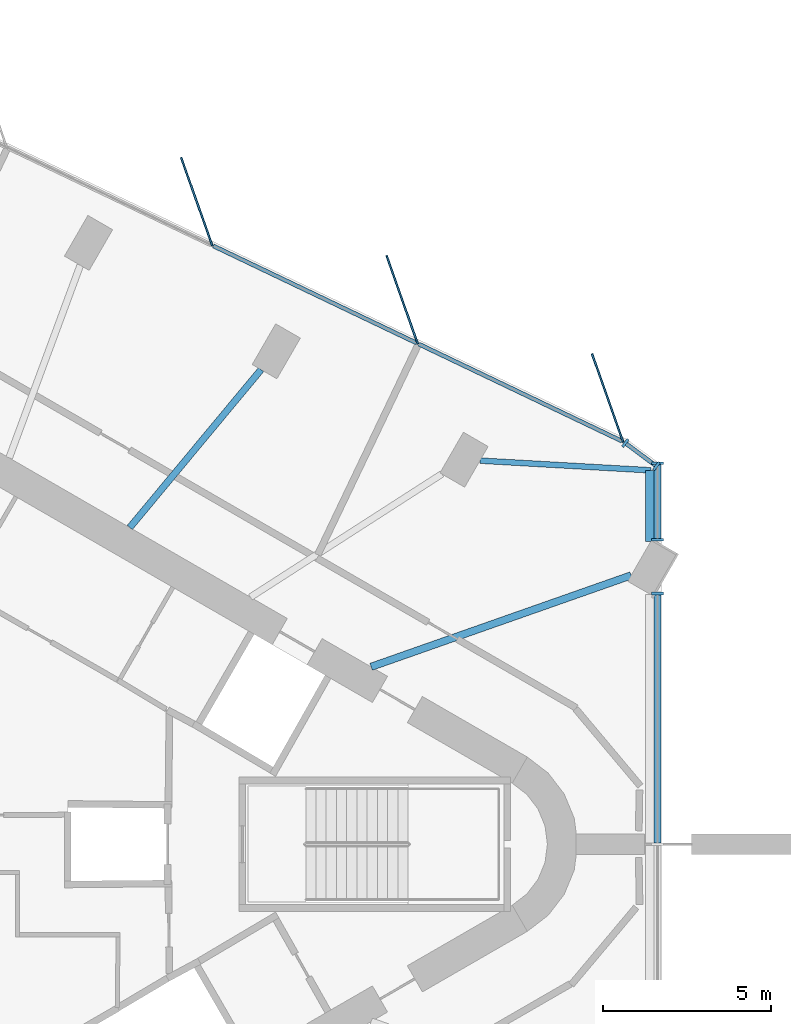
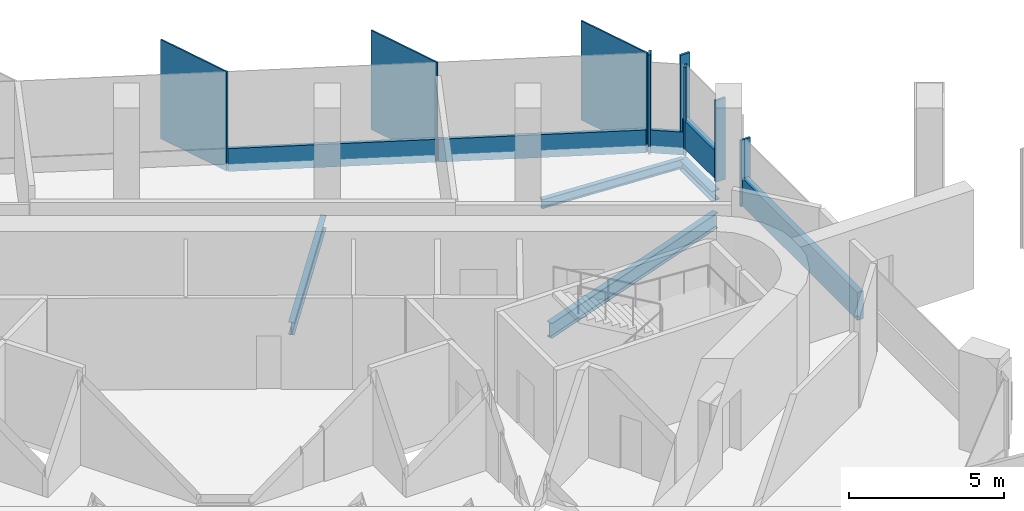
# One storey, part 5 of 12: 13 members, 4 beams, 4 elements without a shape of their own.
"""IFC4 building model written with IfcOpenShell, lengths in metres."""

from ifc_helpers import new_model, si_unit, direction, frame, origin, origin_2d, place, context, subcontext, project, spatial, rectangle, i_section, extrude, material, material_profile, profile_set, type_object, element, aggregate, save


model = new_model("IFC4")

# Units and contexts
model_context = context("Model", 3, precision=1e-05, world=origin(), true_north=direction((0.0, 1.0)))
body_context = subcontext(model_context, "Body", "Model", "MODEL_VIEW")
ifc_project = project(units=[si_unit("LENGTHUNIT", "METRE"), si_unit("AREAUNIT", "SQUARE_METRE"), si_unit("VOLUMEUNIT", "CUBIC_METRE"), si_unit("PLANEANGLEUNIT", "RADIAN"), si_unit("MASSUNIT", "GRAM", prefix="KILO")], contexts=[model_context])

# Site, building, storey
site_placement = place(None, origin())
site = spatial("IfcSite", under=ifc_project, at=site_placement, CompositionType="ELEMENT")
building_placement = place(site_placement, origin())
building = spatial("IfcBuilding", under=site, at=building_placement, Name="Tanit Gate Tower", CompositionType="ELEMENT")
storey_placement = place(building_placement, frame((0.0, 0.0, 384.5)))
storey = spatial("IfcBuildingStorey", under=building, at=storey_placement, Name="L88", CompositionType="ELEMENT", Elevation=384.5)

# Beam
ifc_material_1 = material(Name="Steel S355", Category="steel")
ifc_material_profile_1 = material_profile(ifc_material_1, i_section(OverallWidth=0.300048828125, OverallDepth=0.389892578125, WebThickness=0.010986328125, FlangeThickness=0.01904296875, FilletRadius=0.027099609375, at=origin_2d()), Name="HEA 400")
ifc_profile_set_1 = profile_set([ifc_material_profile_1], Name="Steel S355")
beam_type_1 = type_object("IfcBeamType", Name="EDGE BEAM HEA 400 S355", PredefinedType="BEAM", material=ifc_profile_set_1)
beam_1_placement = place(storey_placement, frame((23.3798828125, 11.14599609375, -0.4951171875), z_axis=(0.0, -1.0, 0.0), x_axis=(1.0, 0.0, 0.0)))
element("IfcBeam", 1, at=beam_1_placement, inside=storey, type_object=beam_type_1, Name="EDGE BEAM", PredefinedType="BEAM", context=body_context, shape_type="SweptSolid", body=[
    extrude(i_section(OverallWidth=0.300048828125, OverallDepth=0.389892578125, WebThickness=0.010986328125, FlangeThickness=0.01904296875, FilletRadius=0.027099609375, at=origin_2d()), origin(), (0.0, 0.0, 1.0), 2.1240234375),
])

# Curtain wall, members
ifc_material_2 = material(Name="Aluminium bronze anodised and glass", Category="aluminium")
curtain_wall_type_1 = type_object("IfcCurtainWallType", Name="Curtain wall typical high", PredefinedType="NOTDEFINED", material=ifc_material_2)
curtain_wall_1_placement = place(storey_placement, origin())
curtain_wall_1 = element("IfcCurtainWall", 2, at=curtain_wall_1_placement, inside=storey, type_object=curtain_wall_type_1, Name="Curtain wall L88 NE2", PredefinedType="NOTDEFINED")
ifc_material_3 = material(Name="Aluminium bronze anodised", Category="aluminium")
ifc_material_profile_2 = material_profile(ifc_material_3, rectangle(XDim=2.800048828125, YDim=0.055908203125, at=origin_2d()), Name="56x2800 bronze fin mullion")
ifc_profile_set_2 = profile_set([ifc_material_profile_2], Name="Aluminium bronze anodised")
member_type_1 = type_object("IfcMemberType", Name="FIN MULLION 56x2800 bronze", PredefinedType="MULLION", material=ifc_profile_set_2)
member_1_placement = place(storey_placement, frame((22.09423828125, 13.30224609375, -0.300048828125), z_axis=(0.0, 0.0, 1.0), x_axis=(0.333220063881, -0.942849080727, 0.0)))
member_1 = element("IfcMember", 3, at=member_1_placement, type_object=member_type_1, Name="Fin mullion L88 NE2.1", PredefinedType="MULLION", context=body_context, shape_type="SweptSolid", body=[
    extrude(rectangle(XDim=2.800048828125, YDim=0.055908203125, at=origin_2d()), origin(), (0.0, 0.0, 1.0), 3.900146484375),
])
member_2_placement = place(storey_placement, frame((15.969482421875, 16.228271484375, -0.300048828125), z_axis=(0.0, 0.0, 1.0), x_axis=(0.333220063881, -0.942849080727, 0.0)))
member_2 = element("IfcMember", 4, at=member_2_placement, type_object=member_type_1, Name="Fin mullion L88 NE2.2", PredefinedType="MULLION", context=body_context, shape_type="SweptSolid", body=[
    extrude(rectangle(XDim=2.800048828125, YDim=0.055908203125, at=origin_2d()), origin(), (0.0, 0.0, 1.0), 3.900146484375),
])
member_3_placement = place(storey_placement, frame((9.8447265625, 19.154296875, -0.300048828125), z_axis=(0.0, 0.0, 1.0), x_axis=(0.333220063881, -0.942849080727, 0.0)))
member_3 = element("IfcMember", 5, at=member_3_placement, type_object=member_type_1, Name="Fin mullion L88 NE2.3", PredefinedType="MULLION", context=body_context, shape_type="SweptSolid", body=[
    extrude(rectangle(XDim=2.800048828125, YDim=0.055908203125, at=origin_2d()), origin(), (0.0, 0.0, 1.0), 3.900146484375),
])

curtain_wall_2_placement = place(storey_placement, origin())
curtain_wall_2 = element("IfcCurtainWall", 6, at=curtain_wall_2_placement, inside=storey, type_object=curtain_wall_type_1, Name="Curtain wall L88 NE1c", PredefinedType="NOTDEFINED")
ifc_material_4 = material(Name="Aluminium bronze anodised", Category="aluminium")
ifc_material_profile_3 = material_profile(ifc_material_4, rectangle(XDim=0.280029296875, YDim=0.080078125, at=origin_2d()), Name="80x280 bronze mullion")
ifc_profile_set_3 = profile_set([ifc_material_profile_3], Name="Aluminium bronze anodised")
member_type_2 = type_object("IfcMemberType", Name="Mullion 80x280 typical high", PredefinedType="MULLION", material=ifc_profile_set_3)
member_4_placement = place(storey_placement, frame((23.54833984375, 11.27001953125, -0.300048828125), z_axis=(0.0, 0.0, 1.0), x_axis=(-0.59734052401, -0.801987717098, 0.0)))
member_4 = element("IfcMember", 7, at=member_4_placement, type_object=member_type_2, Name="Mullion L88 NE1c.1", PredefinedType="MULLION", context=body_context, shape_type="SweptSolid", body=[
    extrude(rectangle(XDim=0.280029296875, YDim=0.080078125, at=origin_2d()), origin(), (0.0, 0.0, 1.0), 3.510009765625),
])
member_5_placement = place(storey_placement, frame((22.622314453125, 11.959716796875, -0.300048828125), z_axis=(0.0, 0.0, 1.0), x_axis=(-0.59734052401, -0.801987717098, 0.0)))
member_5 = element("IfcMember", 8, at=member_5_placement, type_object=member_type_2, Name="Mullion L88 NE1c.2", PredefinedType="MULLION", context=body_context, shape_type="SweptSolid", body=[
    extrude(rectangle(XDim=0.280029296875, YDim=0.080078125, at=origin_2d()), origin(), (0.0, 0.0, 1.0), 3.900146484375),
])

ifc_material_5 = material(Name="Aluminium bronze anodised and glass", Category="aluminium")
curtain_wall_type_2 = type_object("IfcCurtainWallType", Name="Curtain wall portal glazing", PredefinedType="NOTDEFINED", material=ifc_material_5)
curtain_wall_3_placement = place(storey_placement, origin())
curtain_wall_3 = element("IfcCurtainWall", 9, at=curtain_wall_3_placement, inside=storey, type_object=curtain_wall_type_2, Name="Curtain wall L88 NOTCH1", PredefinedType="NOTDEFINED")
ifc_material_6 = material(Name="Aluminium bronze anodised", Category="aluminium")
ifc_material_profile_4 = material_profile(ifc_material_6, rectangle(XDim=0.360107421875, YDim=0.080078125, at=origin_2d()), Name="80x360 bronze mullion")
ifc_profile_set_4 = profile_set([ifc_material_profile_4], Name="Aluminium bronze anodised")
member_type_3 = type_object("IfcMemberType", Name="Mullion 80x360 portal glazing", PredefinedType="MULLION", material=ifc_profile_set_4)
member_6_placement = place(storey_placement, frame((23.580078125, 11.35546875, 0.0), z_axis=(0.0, 0.0, 1.0), x_axis=(1.0, 0.0, 0.0)))
member_6 = element("IfcMember", 10, at=member_6_placement, type_object=member_type_3, Name="Mullion L88 NOTCH1.1", PredefinedType="MULLION", context=body_context, shape_type="SweptSolid", body=[
    extrude(rectangle(XDim=0.360107421875, YDim=0.080078125, at=origin_2d()), origin(), (0.0, 0.0, 1.0), 3.60009765625),
])
member_7_placement = place(storey_placement, frame((23.580078125, 9.07421875, 0.0), z_axis=(0.0, 0.0, 1.0), x_axis=(1.0, 0.0, 0.0)))
member_7 = element("IfcMember", 11, at=member_7_placement, type_object=member_type_3, Name="Mullion L88 NOTCH1.2", PredefinedType="MULLION", context=body_context, shape_type="SweptSolid", body=[
    extrude(rectangle(XDim=0.360107421875, YDim=0.080078125, at=origin_2d()), origin(), (0.0, 0.0, 1.0), 3.2099609375),
])

# Curtain wall, member
curtain_wall_4_placement = place(storey_placement, origin())
curtain_wall_4 = element("IfcCurtainWall", 12, at=curtain_wall_4_placement, inside=storey, type_object=curtain_wall_type_2, Name="Curtain wall L88 NOTCH2", PredefinedType="NOTDEFINED")
member_8_placement = place(storey_placement, frame((23.580078125, 7.472412109375, 0.0), z_axis=(0.0, 0.0, 1.0), x_axis=(1.0, 0.0, 0.0)))
member_8 = element("IfcMember", 13, at=member_8_placement, type_object=member_type_3, Name="Mullion L88 NOTCH2.1", PredefinedType="MULLION", context=body_context, shape_type="SweptSolid", body=[
    extrude(rectangle(XDim=0.360107421875, YDim=0.080078125, at=origin_2d()), origin(), (0.0, 0.0, 1.0), 2.610107421875),
])

# Beams
ifc_material_7 = material(Name="Steel S355", Category="steel")
ifc_material_profile_5 = material_profile(ifc_material_7, i_section(OverallWidth=0.199951171875, OverallDepth=0.5, WebThickness=0.01025390625, FlangeThickness=0.01611328125, FilletRadius=0.02099609375, at=origin_2d()), Name="IPE 500")
ifc_profile_set_5 = profile_set([ifc_material_profile_5], Name="Steel S355")
beam_type_2 = type_object("IfcBeamType", Name="RADIAL GIRDER IPE 500 S355", PredefinedType="BEAM", material=ifc_profile_set_5)
beam_2_placement = place(storey_placement, frame((11.761962890625, 14.1484375, -0.550048828125), z_axis=(-0.639281465972, -0.76897282609, 0.0), x_axis=(0.76897282609, -0.639281465972, 0.0)))
element("IfcBeam", 14, at=beam_2_placement, inside=storey, type_object=beam_type_2, Name="RADIAL GIRDER", PredefinedType="BEAM", context=body_context, shape_type="SweptSolid", body=[
    extrude(i_section(OverallWidth=0.199951171875, OverallDepth=0.5, WebThickness=0.01025390625, FlangeThickness=0.01611328125, FilletRadius=0.02099609375, at=origin_2d()), origin(), (0.0, 0.0, 1.0), 6.119873046875),
])
ifc_material_8 = material(Name="Steel S355", Category="steel")
ifc_material_profile_6 = material_profile(ifc_material_8, i_section(OverallWidth=0.219970703125, OverallDepth=0.60009765625, WebThickness=0.011962890625, FlangeThickness=0.01904296875, FilletRadius=0.02392578125, at=origin_2d()), Name="IPE 600")
ifc_profile_set_6 = profile_set([ifc_material_profile_6], Name="Steel S355")
beam_type_3 = type_object("IfcBeamType", Name="RADIAL GIRDER IPE 600 S355", PredefinedType="BEAM", material=ifc_profile_set_6)
beam_3_placement = place(storey_placement, frame((22.7958984375, 8.014404296875, -0.60009765625), z_axis=(-0.943393322565, -0.331676105471, 0.0), x_axis=(0.331676105471, -0.943393322565, 0.0)))
element("IfcBeam", 15, at=beam_3_placement, inside=storey, type_object=beam_type_3, Name="RADIAL GIRDER", PredefinedType="BEAM", context=body_context, shape_type="SweptSolid", body=[
    extrude(i_section(OverallWidth=0.219970703125, OverallDepth=0.60009765625, WebThickness=0.011962890625, FlangeThickness=0.01904296875, FilletRadius=0.02392578125, at=origin_2d()), origin(), (0.0, 0.0, 1.0), 8.217529296875),
])
ifc_material_9 = material(Name="Steel S355", Category="steel")
ifc_material_profile_7 = material_profile(ifc_material_9, i_section(OverallWidth=0.169921875, OverallDepth=0.360107421875, WebThickness=0.008056640625, FlangeThickness=0.0126953125, FilletRadius=0.01806640625, at=origin_2d()), Name="IPE 360")
ifc_profile_set_7 = profile_set([ifc_material_profile_7], Name="Steel S355")
beam_type_4 = type_object("IfcBeamType", Name="RING BEAM IPE 360 S355", PredefinedType="BEAM", material=ifc_profile_set_7)
beam_4_placement = place(storey_placement, frame((23.3798828125, 11.14599609375, -0.47998046875), z_axis=(-0.998383854202, 0.056830270701, 0.0), x_axis=(-0.056830270701, -0.998383854202, 0.0)))
element("IfcBeam", 16, at=beam_4_placement, inside=storey, type_object=beam_type_4, Name="RING BEAM", PredefinedType="BEAM", context=body_context, shape_type="SweptSolid", body=[
    extrude(i_section(OverallWidth=0.169921875, OverallDepth=0.360107421875, WebThickness=0.008056640625, FlangeThickness=0.0126953125, FilletRadius=0.01806640625, at=origin_2d()), origin(), (0.0, 0.0, 1.0), 5.099365234375),
])

# Member
ifc_material_10 = material(Name="Aluminium bronze anodised", Category="aluminium")
ifc_material_profile_8 = material_profile(ifc_material_10, rectangle(XDim=0.1201171875, YDim=0.89990234375, at=origin_2d()), Name="120x900 bronze transom")
ifc_profile_set_8 = profile_set([ifc_material_profile_8], Name="Aluminium bronze anodised")
member_type_4 = type_object("IfcMemberType", Name="Transom 120x900 typical high", PredefinedType="USERDEFINED", material=ifc_profile_set_8)
member_9_placement = place(storey_placement, frame((23.516357421875, 11.2939453125, 0.14990234375), z_axis=(-0.802094042623, 0.59719774513, 0.0), x_axis=(-0.59719774513, -0.802094042623, 0.0)))
member_9 = element("IfcMember", 17, at=member_9_placement, type_object=member_type_4, Name="Transom L88 NE1c.1", ObjectType="TRANSOM", PredefinedType="USERDEFINED", context=body_context, shape_type="SweptSolid", body=[
    extrude(rectangle(XDim=0.1201171875, YDim=0.89990234375, at=origin_2d()), origin(), (0.0, 0.0, 1.0), 1.07470703125),
])

aggregate(curtain_wall_2, [member_4, member_5, member_9])

member_10_placement = place(storey_placement, frame((22.51806640625, 12.01806640625, 0.14990234375), z_axis=(-0.902312153024, 0.431083261685, 0.0), x_axis=(-0.431083261685, -0.902312153024, 0.0)))
member_10 = element("IfcMember", 18, at=member_10_placement, type_object=member_type_4, Name="Transom L88 NE2.1", ObjectType="TRANSOM", PredefinedType="USERDEFINED", context=body_context, shape_type="SweptSolid", body=[
    extrude(rectangle(XDim=0.1201171875, YDim=0.89990234375, at=origin_2d()), origin(), (0.0, 0.0, 1.0), 6.707763671875),
])

member_11_placement = place(storey_placement, frame((16.393310546875, 14.944091796875, 0.14990234375), z_axis=(-0.902312153024, 0.431083261685, 0.0), x_axis=(-0.431083261685, -0.902312153024, 0.0)))
member_11 = element("IfcMember", 19, at=member_11_placement, type_object=member_type_4, Name="Transom L88 NE2.2", ObjectType="TRANSOM", PredefinedType="USERDEFINED", context=body_context, shape_type="SweptSolid", body=[
    extrude(rectangle(XDim=0.1201171875, YDim=0.89990234375, at=origin_2d()), origin(), (0.0, 0.0, 1.0), 6.707763671875),
])

aggregate(curtain_wall_1, [member_1, member_2, member_3, member_10, member_11])

ifc_material_11 = material(Name="Aluminium bronze anodised", Category="aluminium")
ifc_material_profile_9 = material_profile(ifc_material_11, rectangle(XDim=0.219970703125, YDim=1.10009765625, at=origin_2d()), Name="220x1100 bronze transom")
ifc_profile_set_9 = profile_set([ifc_material_profile_9], Name="Aluminium bronze anodised")
member_type_5 = type_object("IfcMemberType", Name="Transom 220x1100 portal glazing", PredefinedType="USERDEFINED", material=ifc_profile_set_9)
member_12_placement = place(storey_placement, frame((23.580078125, 11.3154296875, 0.550048828125), z_axis=(0.0, -1.0, 0.0), x_axis=(1.0, 0.0, 0.0)))
member_12 = element("IfcMember", 20, at=member_12_placement, type_object=member_type_5, Name="Transom L88 NOTCH1.1", ObjectType="TRANSOM", PredefinedType="USERDEFINED", context=body_context, shape_type="SweptSolid", body=[
    extrude(rectangle(XDim=0.219970703125, YDim=1.10009765625, at=origin_2d()), origin(), (0.0, 0.0, 1.0), 2.201171875),
])

aggregate(curtain_wall_3, [member_6, member_7, member_12])

member_13_placement = place(storey_placement, frame((23.580078125, 7.432373046875, 0.550048828125), z_axis=(0.0, -1.0, 0.0), x_axis=(1.0, 0.0, 0.0)))
member_13 = element("IfcMember", 21, at=member_13_placement, type_object=member_type_5, Name="Transom L88 NOTCH2.1", ObjectType="TRANSOM", PredefinedType="USERDEFINED", context=body_context, shape_type="SweptSolid", body=[
    extrude(rectangle(XDim=0.219970703125, YDim=1.10009765625, at=origin_2d()), origin(), (0.0, 0.0, 1.0), 7.392333984375),
])

aggregate(curtain_wall_4, [member_8, member_13])

save(model, "model.ifc")
